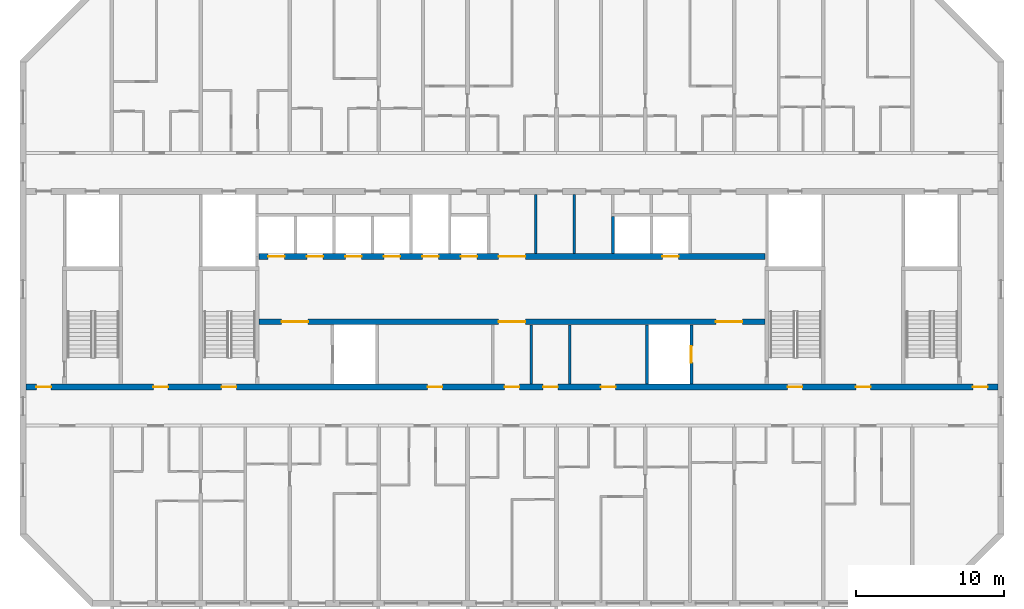
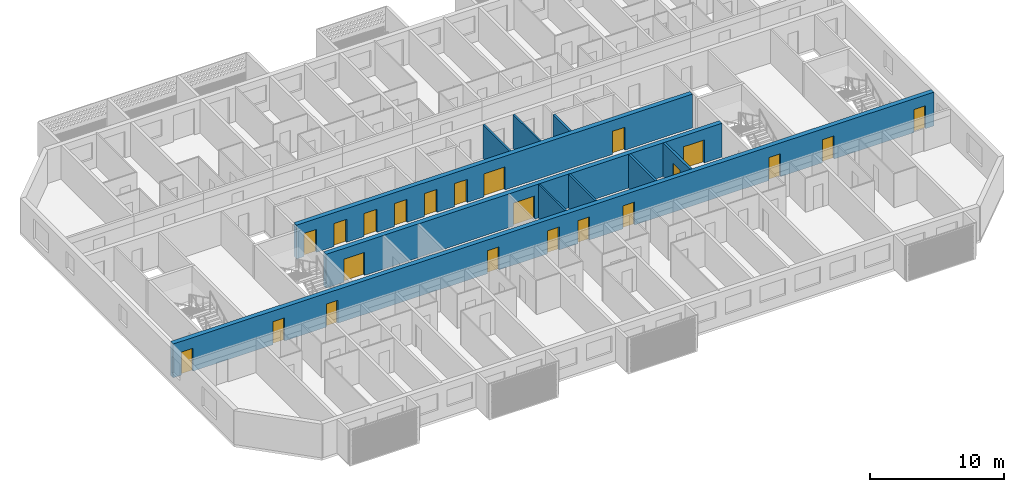
# One storey, part 6 of 27: 22 doors, 10 walls, 22 openings.
"""IFC4 building model written with IfcOpenShell, lengths in metres."""

from ifc_helpers import new_model, si_unit, direction, frame, frame_2d, origin, place, context, subcontext, project, spatial, rectangle, extrude, material, layer, layer_set, type_object, element, fill, save


model = new_model("IFC4")

# Units and contexts
model_context = context("Model", 3, precision=1e-05, world=origin(), true_north=direction((0.0, 1.0)))
body_context = subcontext(model_context, "Body", "Model", "MODEL_VIEW")
ifc_project = project(units=[si_unit("LENGTHUNIT", "METRE"), si_unit("AREAUNIT", "SQUARE_METRE"), si_unit("VOLUMEUNIT", "CUBIC_METRE"), si_unit("PLANEANGLEUNIT", "RADIAN"), si_unit("MASSUNIT", "GRAM", prefix="KILO")], contexts=[model_context])

# Site, building, storey
site_placement = place(None, origin())
site = spatial("IfcSite", under=ifc_project, at=site_placement, CompositionType="ELEMENT")
building_placement = place(site_placement, origin())
building = spatial("IfcBuilding", under=site, at=building_placement, Name="Poui Terraces", CompositionType="ELEMENT")
storey_placement = place(building_placement, frame((0.0, 0.0, 201.60009765625)))
storey = spatial("IfcBuildingStorey", under=building, at=storey_placement, Name="L56", CompositionType="ELEMENT", Elevation=201.60009765625)

# Wall, openings, doors
ifc_material_1 = material(Name="Concrete 50 MPa", Category="concrete")
ifc_layer_1 = layer(ifc_material_1, 0.39990234375)
ifc_layer_set_1 = layer_set([ifc_layer_1], Name="Concrete 50 MPa")
wall_type_1 = type_object("IfcWallType", Name="CORE WALL 400 50 MPA", PredefinedType="SOLIDWALL", material=ifc_layer_set_1)
wall_1_placement = place(storey_placement, frame((33.925048828125, 19.0, 0.0), z_axis=(0.0, 0.0, 1.0), x_axis=(1.0, 0.0, 0.0)))
wall_1 = element("IfcWall", 1, at=wall_1_placement, inside=storey, type_object=wall_type_1, Name="CORE WALL", PredefinedType="SOLIDWALL", context=body_context, shape_type="SweptSolid", body=[
    extrude(rectangle(XDim=34.14990234375, YDim=0.39990234375, at=frame_2d((17.074951171875, 0.0))), origin(), (0.0, 0.0, 1.0), 3.079833984375),
])
opening_1_placement = place(wall_1_placement, frame((16.175048828125, 0.0, 0.0)))
opening_1 = element("IfcOpeningElement", 2, at=opening_1_placement, cuts=wall_1, Name="Opening FDD60", PredefinedType="OPENING", context=body_context, shape_type="SweptSolid", body=[
    extrude(rectangle(XDim=1.800048828125, YDim=2.10009765625, at=frame_2d((0.89990234375, 1.050048828125))), frame((0.0, 0.2099609375, 0.0), z_axis=(0.0, -1.0, 0.0), x_axis=(1.0, 0.0, 0.0)), (0.0, 0.0, 1.0), 0.419921875),
])
opening_2_placement = place(wall_1_placement, frame((1.52490234375, 0.0, 0.0)))
opening_2 = element("IfcOpeningElement", 3, at=opening_2_placement, cuts=wall_1, Name="Opening FDD60", PredefinedType="OPENING", context=body_context, shape_type="SweptSolid", body=[
    extrude(rectangle(XDim=1.800048828125, YDim=2.10009765625, at=frame_2d((0.89990234375, 1.050048828125))), frame((0.0, 0.2099609375, 0.0), z_axis=(0.0, -1.0, 0.0), x_axis=(1.0, 0.0, 0.0)), (0.0, 0.0, 1.0), 0.419921875),
])
opening_3_placement = place(wall_1_placement, frame((30.824951171875, 0.0, 0.0)))
opening_3 = element("IfcOpeningElement", 4, at=opening_3_placement, cuts=wall_1, Name="Opening FDD60", PredefinedType="OPENING", context=body_context, shape_type="SweptSolid", body=[
    extrude(rectangle(XDim=1.800048828125, YDim=2.10009765625, at=frame_2d((0.89990234375, 1.050048828125))), frame((0.0, 0.2099609375, 0.0), z_axis=(0.0, -1.0, 0.0), x_axis=(1.0, 0.0, 0.0)), (0.0, 0.0, 1.0), 0.419921875),
])
ifc_material_2 = material(Name="Steel fire door", Category="steel")
door_type_1 = type_object("IfcDoorType", Name="DOUBLE LOBBY FIRE DOOR 1800 X 2100", OperationType="DOUBLE_DOOR_SINGLE_SWING", PredefinedType="DOOR", material=ifc_material_2)
door_1_placement = place(opening_1_placement, frame((1.800048828125, 0.0, 0.0), z_axis=(0.0, 0.0, 1.0), x_axis=(-1.0, 0.0, 0.0)))
door_1 = element("IfcDoor", 5, at=door_1_placement, inside=storey, type_object=door_type_1, Name="DOUBLE LOBBY FIRE DOOR 107", OperationType="DOUBLE_DOOR_SINGLE_SWING", OverallHeight=2.10009765625, OverallWidth=1.800048828125, PredefinedType="DOOR", context=body_context, shape_type="SweptSolid", body=[
    extrude(rectangle(XDim=1.800048828125, YDim=2.10009765625, at=frame_2d((0.89990234375, 1.050048828125))), frame((0.0, 0.02490234375, 0.0), z_axis=(0.0, -1.0, 0.0), x_axis=(1.0, 0.0, 0.0)), (0.0, 0.0, 1.0), 0.050048828125),
])
fill(opening_1, door_1)
door_2_placement = place(opening_2_placement, origin())
door_2 = element("IfcDoor", 6, at=door_2_placement, inside=storey, type_object=door_type_1, Name="DOUBLE LOBBY FIRE DOOR 109", OperationType="DOUBLE_DOOR_SINGLE_SWING", OverallHeight=2.10009765625, OverallWidth=1.800048828125, PredefinedType="DOOR", context=body_context, shape_type="SweptSolid", body=[
    extrude(rectangle(XDim=1.800048828125, YDim=2.10009765625, at=frame_2d((0.89990234375, 1.050048828125))), frame((0.0, 0.02490234375, 0.0), z_axis=(0.0, -1.0, 0.0), x_axis=(1.0, 0.0, 0.0)), (0.0, 0.0, 1.0), 0.050048828125),
])
fill(opening_2, door_2)
door_3_placement = place(opening_3_placement, origin())
door_3 = element("IfcDoor", 7, at=door_3_placement, inside=storey, type_object=door_type_1, Name="DOUBLE LOBBY FIRE DOOR 116", OperationType="DOUBLE_DOOR_SINGLE_SWING", OverallHeight=2.10009765625, OverallWidth=1.800048828125, PredefinedType="DOOR", context=body_context, shape_type="SweptSolid", body=[
    extrude(rectangle(XDim=1.800048828125, YDim=2.10009765625, at=frame_2d((0.89990234375, 1.050048828125))), frame((0.0, 0.02490234375, 0.0), z_axis=(0.0, -1.0, 0.0), x_axis=(1.0, 0.0, 0.0)), (0.0, 0.0, 1.0), 0.050048828125),
])
fill(opening_3, door_3)

wall_2_placement = place(storey_placement, frame((33.925048828125, 23.39990234375, 0.0), z_axis=(0.0, 0.0, 1.0), x_axis=(1.0, 0.0, 0.0)))
wall_2 = element("IfcWall", 8, at=wall_2_placement, inside=storey, type_object=wall_type_1, Name="CORE WALL", PredefinedType="SOLIDWALL", context=body_context, shape_type="SweptSolid", body=[
    extrude(rectangle(XDim=34.14990234375, YDim=0.39990234375, at=frame_2d((17.074951171875, 0.0))), origin(), (0.0, 0.0, 1.0), 3.079833984375),
])
opening_4_placement = place(wall_2_placement, frame((16.175048828125, 0.0, 0.0)))
opening_4 = element("IfcOpeningElement", 9, at=opening_4_placement, cuts=wall_2, Name="Opening FDD60", PredefinedType="OPENING", context=body_context, shape_type="SweptSolid", body=[
    extrude(rectangle(XDim=1.800048828125, YDim=2.10009765625, at=frame_2d((0.89990234375, 1.050048828125))), frame((0.0, 0.2099609375, 0.0), z_axis=(0.0, -1.0, 0.0), x_axis=(1.0, 0.0, 0.0)), (0.0, 0.0, 1.0), 0.419921875),
])
opening_5_placement = place(wall_2_placement, frame((0.625, 0.0, 0.0)))
opening_5 = element("IfcOpeningElement", 10, at=opening_5_placement, cuts=wall_2, Name="Opening LD", PredefinedType="OPENING", context=body_context, shape_type="SweptSolid", body=[
    extrude(rectangle(XDim=1.10009765625, YDim=2.10009765625, at=frame_2d((0.550048828125, 1.050048828125))), frame((0.0, 0.2099609375, 0.0), z_axis=(0.0, -1.0, 0.0), x_axis=(1.0, 0.0, 0.0)), (0.0, 0.0, 1.0), 0.419921875),
])
opening_6_placement = place(wall_2_placement, frame((3.22509765625, 0.0, 0.0)))
opening_6 = element("IfcOpeningElement", 11, at=opening_6_placement, cuts=wall_2, Name="Opening LD", PredefinedType="OPENING", context=body_context, shape_type="SweptSolid", body=[
    extrude(rectangle(XDim=1.10009765625, YDim=2.10009765625, at=frame_2d((0.550048828125, 1.050048828125))), frame((0.0, 0.2099609375, 0.0), z_axis=(0.0, -1.0, 0.0), x_axis=(1.0, 0.0, 0.0)), (0.0, 0.0, 1.0), 0.419921875),
])
opening_7_placement = place(wall_2_placement, frame((5.824951171875, 0.0, 0.0)))
opening_7 = element("IfcOpeningElement", 12, at=opening_7_placement, cuts=wall_2, Name="Opening LD", PredefinedType="OPENING", context=body_context, shape_type="SweptSolid", body=[
    extrude(rectangle(XDim=1.10009765625, YDim=2.10009765625, at=frame_2d((0.550048828125, 1.050048828125))), frame((0.0, 0.2099609375, 0.0), z_axis=(0.0, -1.0, 0.0), x_axis=(1.0, 0.0, 0.0)), (0.0, 0.0, 1.0), 0.419921875),
])
opening_8_placement = place(wall_2_placement, frame((8.425048828125, 0.0, 0.0)))
opening_8 = element("IfcOpeningElement", 13, at=opening_8_placement, cuts=wall_2, Name="Opening LD", PredefinedType="OPENING", context=body_context, shape_type="SweptSolid", body=[
    extrude(rectangle(XDim=1.10009765625, YDim=2.10009765625, at=frame_2d((0.550048828125, 1.050048828125))), frame((0.0, 0.2099609375, 0.0), z_axis=(0.0, -1.0, 0.0), x_axis=(1.0, 0.0, 0.0)), (0.0, 0.0, 1.0), 0.419921875),
])
opening_9_placement = place(wall_2_placement, frame((11.02490234375, 0.0, 0.0)))
opening_9 = element("IfcOpeningElement", 14, at=opening_9_placement, cuts=wall_2, Name="Opening LD", PredefinedType="OPENING", context=body_context, shape_type="SweptSolid", body=[
    extrude(rectangle(XDim=1.10009765625, YDim=2.10009765625, at=frame_2d((0.550048828125, 1.050048828125))), frame((0.0, 0.2099609375, 0.0), z_axis=(0.0, -1.0, 0.0), x_axis=(1.0, 0.0, 0.0)), (0.0, 0.0, 1.0), 0.419921875),
])
opening_10_placement = place(wall_2_placement, frame((13.625, 0.0, 0.0)))
opening_10 = element("IfcOpeningElement", 15, at=opening_10_placement, cuts=wall_2, Name="Opening LD", PredefinedType="OPENING", context=body_context, shape_type="SweptSolid", body=[
    extrude(rectangle(XDim=1.10009765625, YDim=2.10009765625, at=frame_2d((0.550048828125, 1.050048828125))), frame((0.0, 0.2099609375, 0.0), z_axis=(0.0, -1.0, 0.0), x_axis=(1.0, 0.0, 0.0)), (0.0, 0.0, 1.0), 0.419921875),
])
opening_11_placement = place(wall_2_placement, frame((27.22509765625, 0.0, 0.0)))
opening_11 = element("IfcOpeningElement", 16, at=opening_11_placement, cuts=wall_2, Name="Opening LD", PredefinedType="OPENING", context=body_context, shape_type="SweptSolid", body=[
    extrude(rectangle(XDim=1.10009765625, YDim=2.10009765625, at=frame_2d((0.550048828125, 1.050048828125))), frame((0.0, 0.2099609375, 0.0), z_axis=(0.0, -1.0, 0.0), x_axis=(1.0, 0.0, 0.0)), (0.0, 0.0, 1.0), 0.419921875),
])
door_4_placement = place(opening_4_placement, origin())
door_4 = element("IfcDoor", 17, at=door_4_placement, inside=storey, type_object=door_type_1, Name="DOUBLE LOBBY FIRE DOOR 106", OperationType="DOUBLE_DOOR_SINGLE_SWING", OverallHeight=2.10009765625, OverallWidth=1.800048828125, PredefinedType="DOOR", context=body_context, shape_type="SweptSolid", body=[
    extrude(rectangle(XDim=1.800048828125, YDim=2.10009765625, at=frame_2d((0.89990234375, 1.050048828125))), frame((0.0, 0.02490234375, 0.0), z_axis=(0.0, -1.0, 0.0), x_axis=(1.0, 0.0, 0.0)), (0.0, 0.0, 1.0), 0.050048828125),
])
fill(opening_4, door_4)
ifc_material_3 = material(Name="Stainless steel sliding door", Category="steel")
door_type_2 = type_object("IfcDoorType", Name="LIFT LANDING DOOR 1100 X 2100", OperationType="DOUBLE_DOOR_SLIDING", PredefinedType="DOOR", material=ifc_material_3)
door_5_placement = place(opening_5_placement, origin())
door_5 = element("IfcDoor", 18, at=door_5_placement, inside=storey, type_object=door_type_2, Name="LANDING DOOR", OperationType="DOUBLE_DOOR_SLIDING", OverallHeight=2.10009765625, OverallWidth=1.10009765625, PredefinedType="DOOR", context=body_context, shape_type="SweptSolid", body=[
    extrude(rectangle(XDim=1.10009765625, YDim=2.10009765625, at=frame_2d((0.550048828125, 1.050048828125))), frame((0.0, 0.02490234375, 0.0), z_axis=(0.0, -1.0, 0.0), x_axis=(1.0, 0.0, 0.0)), (0.0, 0.0, 1.0), 0.050048828125),
])
fill(opening_5, door_5)
door_6_placement = place(opening_6_placement, origin())
door_6 = element("IfcDoor", 19, at=door_6_placement, inside=storey, type_object=door_type_2, Name="LANDING DOOR", OperationType="DOUBLE_DOOR_SLIDING", OverallHeight=2.10009765625, OverallWidth=1.10009765625, PredefinedType="DOOR", context=body_context, shape_type="SweptSolid", body=[
    extrude(rectangle(XDim=1.10009765625, YDim=2.10009765625, at=frame_2d((0.550048828125, 1.050048828125))), frame((0.0, 0.02490234375, 0.0), z_axis=(0.0, -1.0, 0.0), x_axis=(1.0, 0.0, 0.0)), (0.0, 0.0, 1.0), 0.050048828125),
])
fill(opening_6, door_6)
door_7_placement = place(opening_7_placement, origin())
door_7 = element("IfcDoor", 20, at=door_7_placement, inside=storey, type_object=door_type_2, Name="LANDING DOOR", OperationType="DOUBLE_DOOR_SLIDING", OverallHeight=2.10009765625, OverallWidth=1.10009765625, PredefinedType="DOOR", context=body_context, shape_type="SweptSolid", body=[
    extrude(rectangle(XDim=1.10009765625, YDim=2.10009765625, at=frame_2d((0.550048828125, 1.050048828125))), frame((0.0, 0.02490234375, 0.0), z_axis=(0.0, -1.0, 0.0), x_axis=(1.0, 0.0, 0.0)), (0.0, 0.0, 1.0), 0.050048828125),
])
fill(opening_7, door_7)
door_8_placement = place(opening_8_placement, origin())
door_8 = element("IfcDoor", 21, at=door_8_placement, inside=storey, type_object=door_type_2, Name="LANDING DOOR", OperationType="DOUBLE_DOOR_SLIDING", OverallHeight=2.10009765625, OverallWidth=1.10009765625, PredefinedType="DOOR", context=body_context, shape_type="SweptSolid", body=[
    extrude(rectangle(XDim=1.10009765625, YDim=2.10009765625, at=frame_2d((0.550048828125, 1.050048828125))), frame((0.0, 0.02490234375, 0.0), z_axis=(0.0, -1.0, 0.0), x_axis=(1.0, 0.0, 0.0)), (0.0, 0.0, 1.0), 0.050048828125),
])
fill(opening_8, door_8)
door_9_placement = place(opening_9_placement, origin())
door_9 = element("IfcDoor", 22, at=door_9_placement, inside=storey, type_object=door_type_2, Name="LANDING DOOR", OperationType="DOUBLE_DOOR_SLIDING", OverallHeight=2.10009765625, OverallWidth=1.10009765625, PredefinedType="DOOR", context=body_context, shape_type="SweptSolid", body=[
    extrude(rectangle(XDim=1.10009765625, YDim=2.10009765625, at=frame_2d((0.550048828125, 1.050048828125))), frame((0.0, 0.02490234375, 0.0), z_axis=(0.0, -1.0, 0.0), x_axis=(1.0, 0.0, 0.0)), (0.0, 0.0, 1.0), 0.050048828125),
])
fill(opening_9, door_9)
door_10_placement = place(opening_10_placement, origin())
door_10 = element("IfcDoor", 23, at=door_10_placement, inside=storey, type_object=door_type_2, Name="LANDING DOOR", OperationType="DOUBLE_DOOR_SLIDING", OverallHeight=2.10009765625, OverallWidth=1.10009765625, PredefinedType="DOOR", context=body_context, shape_type="SweptSolid", body=[
    extrude(rectangle(XDim=1.10009765625, YDim=2.10009765625, at=frame_2d((0.550048828125, 1.050048828125))), frame((0.0, 0.02490234375, 0.0), z_axis=(0.0, -1.0, 0.0), x_axis=(1.0, 0.0, 0.0)), (0.0, 0.0, 1.0), 0.050048828125),
])
fill(opening_10, door_10)
door_11_placement = place(opening_11_placement, origin())
door_11 = element("IfcDoor", 24, at=door_11_placement, inside=storey, type_object=door_type_2, Name="LANDING DOOR", OperationType="DOUBLE_DOOR_SLIDING", OverallHeight=2.10009765625, OverallWidth=1.10009765625, PredefinedType="DOOR", context=body_context, shape_type="SweptSolid", body=[
    extrude(rectangle(XDim=1.10009765625, YDim=2.10009765625, at=frame_2d((0.550048828125, 1.050048828125))), frame((0.0, 0.02490234375, 0.0), z_axis=(0.0, -1.0, 0.0), x_axis=(1.0, 0.0, 0.0)), (0.0, 0.0, 1.0), 0.050048828125),
])
fill(opening_11, door_11)

# Walls
ifc_material_4 = material(Name="Fire-rated plasterboard wall")
ifc_layer_2 = layer(ifc_material_4, 0.14990234375)
ifc_layer_set_2 = layer_set([ifc_layer_2], Name="Fire-rated plasterboard wall")
wall_type_2 = type_object("IfcWallType", Name="CORRIDOR WALL 150", PredefinedType="PARTITIONING", material=ifc_layer_set_2)
for number, where, z_axis, x_axis, name in (
    (25, (52.300048828125, 14.81005859375, 0.0), (0.0, 0.0, 1.0), (0.0, 1.0, 0.0), "CORRIDOR WALL 150"),
    (26, (52.60009765625, 23.610107421875, 0.0), (0.0, 0.0, 1.0), (0.0, 1.0, 0.0), "CORRIDOR WALL 150"),
):
    element("IfcWall", number, at=place(storey_placement, frame(where, z_axis=z_axis, x_axis=x_axis)), inside=storey, type_object=wall_type_2, Name=name, PredefinedType="PARTITIONING", context=body_context, shape_type="SweptSolid", body=[
        extrude(rectangle(XDim=3.97998046875, YDim=0.14990234375, at=frame_2d((1.989990234375, 0.0))), origin(), (0.0, 0.0, 1.0), 3.079833984375),
    ])
ifc_material_5 = material(Name="Plasterboard partition")
ifc_layer_3 = layer(ifc_material_5, 0.14990234375)
ifc_layer_set_3 = layer_set([ifc_layer_3], Name="Plasterboard partition")
wall_type_3 = type_object("IfcWallType", Name="PARTITION WALL 150", PredefinedType="PARTITIONING", material=ifc_layer_set_3)
for number, where, z_axis, x_axis, name in (
    (27, (54.89990234375, 14.81005859375, 0.0), (0.0, 0.0, 1.0), (0.0, 1.0, 0.0), "PARTITION WALL 150"),
    (28, (55.199951171875, 23.610107421875, 0.0), (0.0, 0.0, 1.0), (0.0, 1.0, 0.0), "PARTITION WALL 150"),
):
    element("IfcWall", number, at=place(storey_placement, frame(where, z_axis=z_axis, x_axis=x_axis)), inside=storey, type_object=wall_type_3, Name=name, PredefinedType="PARTITIONING", context=body_context, shape_type="SweptSolid", body=[
        extrude(rectangle(XDim=3.97998046875, YDim=0.14990234375, at=frame_2d((1.989990234375, 0.0))), origin(), (0.0, 0.0, 1.0), 3.079833984375),
    ])
ifc_material_6 = material(Name="Fire-rated masonry shaft wall", Category="masonry")
ifc_layer_4 = layer(ifc_material_6, 0.199951171875)
ifc_layer_set_4 = layer_set([ifc_layer_4], Name="Fire-rated masonry shaft wall")
wall_type_4 = type_object("IfcWallType", Name="SHAFT WALL 200", PredefinedType="PARTITIONING", material=ifc_layer_set_4)
wall_3_placement = place(storey_placement, frame((57.800048828125, 23.610107421875, 0.0), z_axis=(0.0, 0.0, 1.0), x_axis=(0.0, 1.0, 0.0)))
element("IfcWall", 29, at=wall_3_placement, inside=storey, type_object=wall_type_4, Name="SHAFT WALL 200", PredefinedType="PARTITIONING", context=body_context, shape_type="SweptSolid", body=[
    extrude(rectangle(XDim=2.489990234375, YDim=0.199951171875, at=frame_2d((1.2451171875, 0.0))), origin(), (0.0, 0.0, 1.0), 3.079833984375),
])
wall_4_placement = place(storey_placement, frame((60.10009765625, 14.81005859375, 0.0), z_axis=(0.0, 0.0, 1.0), x_axis=(0.0, 1.0, 0.0)))
element("IfcWall", 30, at=wall_4_placement, inside=storey, type_object=wall_type_4, Name="SHAFT WALL 200", PredefinedType="PARTITIONING", context=body_context, shape_type="SweptSolid", body=[
    extrude(rectangle(XDim=3.97998046875, YDim=0.199951171875, at=frame_2d((1.989990234375, 0.0))), origin(), (0.0, 0.0, 1.0), 3.079833984375),
])

# Wall, opening, door
wall_5_placement = place(storey_placement, frame((63.10009765625, 14.81005859375, 0.0), z_axis=(0.0, 0.0, 1.0), x_axis=(0.0, 1.0, 0.0)))
wall_5 = element("IfcWall", 31, at=wall_5_placement, inside=storey, type_object=wall_type_4, Name="SHAFT WALL 200", PredefinedType="PARTITIONING", context=body_context, shape_type="SweptSolid", body=[
    extrude(rectangle(XDim=3.97998046875, YDim=0.199951171875, at=frame_2d((1.989990234375, 0.0))), origin(), (0.0, 0.0, 1.0), 3.079833984375),
])
opening_12_placement = place(wall_5_placement, frame((1.43994140625, 0.0, 0.0)))
opening_12 = element("IfcOpeningElement", 32, at=opening_12_placement, cuts=wall_5, Name="Opening LD", PredefinedType="OPENING", context=body_context, shape_type="SweptSolid", body=[
    extrude(rectangle(XDim=1.10009765625, YDim=2.10009765625, at=frame_2d((0.550048828125, 1.050048828125))), frame((0.0, 0.10986328125, 0.0), z_axis=(0.0, -1.0, 0.0), x_axis=(1.0, 0.0, 0.0)), (0.0, 0.0, 1.0), 0.219970703125),
])
door_12_placement = place(opening_12_placement, origin())
door_12 = element("IfcDoor", 33, at=door_12_placement, inside=storey, type_object=door_type_2, Name="LANDING DOOR", OperationType="DOUBLE_DOOR_SLIDING", OverallHeight=2.10009765625, OverallWidth=1.10009765625, PredefinedType="DOOR", context=body_context, shape_type="SweptSolid", body=[
    extrude(rectangle(XDim=1.10009765625, YDim=2.10009765625, at=frame_2d((0.550048828125, 1.050048828125))), frame((0.0, 0.02490234375, 0.0), z_axis=(0.0, -1.0, 0.0), x_axis=(1.0, 0.0, 0.0)), (0.0, 0.0, 1.0), 0.050048828125),
])
fill(opening_12, door_12)

# Wall, openings, doors
ifc_layer_5 = layer(ifc_material_1, 0.39990234375)
ifc_layer_set_5 = layer_set([ifc_layer_5], Name="Concrete 50 MPa")
wall_type_5 = type_object("IfcWallType", Name="SPINE WALL 400 50 MPA", PredefinedType="SOLIDWALL", material=ifc_layer_set_5)
wall_6_placement = place(storey_placement, frame((18.199951171875, 14.60009765625, 0.0), z_axis=(0.0, 0.0, 1.0), x_axis=(1.0, 0.0, 0.0)))
wall_6 = element("IfcWall", 34, at=wall_6_placement, inside=storey, type_object=wall_type_5, Name="SPINE WALL", PredefinedType="SOLIDWALL", context=body_context, shape_type="SweptSolid", body=[
    extrude(rectangle(XDim=65.60009765625, YDim=0.39990234375, at=frame_2d((32.800048828125, 0.0))), origin(), (0.0, 0.0, 1.0), 3.079833984375),
])
opening_13_placement = place(wall_6_placement, frame((0.699951171875, 0.0, 0.0)))
opening_13 = element("IfcOpeningElement", 35, at=opening_13_placement, cuts=wall_6, Name="Opening FDL", PredefinedType="OPENING", context=body_context, shape_type="SweptSolid", body=[
    extrude(rectangle(XDim=1.0, YDim=2.10009765625, at=frame_2d((0.5, 1.050048828125))), frame((0.0, 0.2099609375, 0.0), z_axis=(0.0, -1.0, 0.0), x_axis=(1.0, 0.0, 0.0)), (0.0, 0.0, 1.0), 0.419921875),
])
opening_14_placement = place(wall_6_placement, frame((8.60009765625, 0.0, 0.0)))
opening_14 = element("IfcOpeningElement", 36, at=opening_14_placement, cuts=wall_6, Name="Opening D100", PredefinedType="OPENING", context=body_context, shape_type="SweptSolid", body=[
    extrude(rectangle(XDim=1.0, YDim=2.10009765625, at=frame_2d((0.5, 1.050048828125))), frame((0.0, 0.2099609375, 0.0), z_axis=(0.0, -1.0, 0.0), x_axis=(1.0, 0.0, 0.0)), (0.0, 0.0, 1.0), 0.419921875),
])
opening_15_placement = place(wall_6_placement, frame((13.199951171875, 0.0, 0.0)))
opening_15 = element("IfcOpeningElement", 37, at=opening_15_placement, cuts=wall_6, Name="Opening FD60S", PredefinedType="OPENING", context=body_context, shape_type="SweptSolid", body=[
    extrude(rectangle(XDim=1.0, YDim=2.10009765625, at=frame_2d((0.5, 1.050048828125))), frame((0.0, 0.2099609375, 0.0), z_axis=(0.0, -1.0, 0.0), x_axis=(1.0, 0.0, 0.0)), (0.0, 0.0, 1.0), 0.419921875),
])
opening_16_placement = place(wall_6_placement, frame((27.10009765625, 0.0, 0.0)))
opening_16 = element("IfcOpeningElement", 38, at=opening_16_placement, cuts=wall_6, Name="Opening FD60", PredefinedType="OPENING", context=body_context, shape_type="SweptSolid", body=[
    extrude(rectangle(XDim=1.0, YDim=2.10009765625, at=frame_2d((0.5, 1.050048828125))), frame((0.0, 0.2099609375, 0.0), z_axis=(0.0, -1.0, 0.0), x_axis=(1.0, 0.0, 0.0)), (0.0, 0.0, 1.0), 0.419921875),
])
opening_17_placement = place(wall_6_placement, frame((32.300048828125, 0.0, 0.0)))
opening_17 = element("IfcOpeningElement", 39, at=opening_17_placement, cuts=wall_6, Name="Opening FDL", PredefinedType="OPENING", context=body_context, shape_type="SweptSolid", body=[
    extrude(rectangle(XDim=1.0, YDim=2.10009765625, at=frame_2d((0.5, 1.050048828125))), frame((0.0, 0.2099609375, 0.0), z_axis=(0.0, -1.0, 0.0), x_axis=(1.0, 0.0, 0.0)), (0.0, 0.0, 1.0), 0.419921875),
])
opening_18_placement = place(wall_6_placement, frame((34.89990234375, 0.0, 0.0)))
opening_18 = element("IfcOpeningElement", 40, at=opening_18_placement, cuts=wall_6, Name="Opening FD60", PredefinedType="OPENING", context=body_context, shape_type="SweptSolid", body=[
    extrude(rectangle(XDim=1.0, YDim=2.10009765625, at=frame_2d((0.5, 1.050048828125))), frame((0.0, 0.2099609375, 0.0), z_axis=(0.0, -1.0, 0.0), x_axis=(1.0, 0.0, 0.0)), (0.0, 0.0, 1.0), 0.419921875),
])
opening_19_placement = place(wall_6_placement, frame((38.800048828125, 0.0, 0.0)))
opening_19 = element("IfcOpeningElement", 41, at=opening_19_placement, cuts=wall_6, Name="Opening FD60", PredefinedType="OPENING", context=body_context, shape_type="SweptSolid", body=[
    extrude(rectangle(XDim=1.0, YDim=2.10009765625, at=frame_2d((0.5, 1.050048828125))), frame((0.0, 0.2099609375, 0.0), z_axis=(0.0, -1.0, 0.0), x_axis=(1.0, 0.0, 0.0)), (0.0, 0.0, 1.0), 0.419921875),
])
opening_20_placement = place(wall_6_placement, frame((51.39990234375, 0.0, 0.0)))
opening_20 = element("IfcOpeningElement", 42, at=opening_20_placement, cuts=wall_6, Name="Opening FD60S", PredefinedType="OPENING", context=body_context, shape_type="SweptSolid", body=[
    extrude(rectangle(XDim=1.0, YDim=2.10009765625, at=frame_2d((0.5, 1.050048828125))), frame((0.0, 0.2099609375, 0.0), z_axis=(0.0, -1.0, 0.0), x_axis=(1.0, 0.0, 0.0)), (0.0, 0.0, 1.0), 0.419921875),
])
opening_21_placement = place(wall_6_placement, frame((56.0, 0.0, 0.0)))
opening_21 = element("IfcOpeningElement", 43, at=opening_21_placement, cuts=wall_6, Name="Opening D100", PredefinedType="OPENING", context=body_context, shape_type="SweptSolid", body=[
    extrude(rectangle(XDim=1.0, YDim=2.10009765625, at=frame_2d((0.5, 1.050048828125))), frame((0.0, 0.2099609375, 0.0), z_axis=(0.0, -1.0, 0.0), x_axis=(1.0, 0.0, 0.0)), (0.0, 0.0, 1.0), 0.419921875),
])
opening_22_placement = place(wall_6_placement, frame((63.89990234375, 0.0, 0.0)))
opening_22 = element("IfcOpeningElement", 44, at=opening_22_placement, cuts=wall_6, Name="Opening FDL", PredefinedType="OPENING", context=body_context, shape_type="SweptSolid", body=[
    extrude(rectangle(XDim=1.0, YDim=2.10009765625, at=frame_2d((0.5, 1.050048828125))), frame((0.0, 0.2099609375, 0.0), z_axis=(0.0, -1.0, 0.0), x_axis=(1.0, 0.0, 0.0)), (0.0, 0.0, 1.0), 0.419921875),
])
ifc_material_7 = material(Name="Solid core timber door", Category="wood")
door_type_3 = type_object("IfcDoorType", Name="ACCESSIBLE INTERNAL DOOR 1000 X 2100", OperationType="NOTDEFINED", PredefinedType="DOOR", material=ifc_material_7)
door_13_placement = place(opening_14_placement, frame((1.0, 0.0, 0.0), z_axis=(0.0, 0.0, 1.0), x_axis=(-1.0, 0.0, 0.0)))
door_13 = element("IfcDoor", 45, at=door_13_placement, inside=storey, type_object=door_type_3, Name="ACCESSIBLE INTERNAL DOOR 017", OperationType="SINGLE_SWING_RIGHT", OverallHeight=2.10009765625, OverallWidth=1.0, PredefinedType="DOOR", context=body_context, shape_type="SweptSolid", body=[
    extrude(rectangle(XDim=1.0, YDim=2.10009765625, at=frame_2d((0.5, 1.050048828125))), frame((0.0, 0.02490234375, 0.0), z_axis=(0.0, -1.0, 0.0), x_axis=(1.0, 0.0, 0.0)), (0.0, 0.0, 1.0), 0.050048828125),
])
fill(opening_14, door_13)
door_14_placement = place(opening_21_placement, frame((1.0, 0.0, 0.0), z_axis=(0.0, 0.0, 1.0), x_axis=(-1.0, 0.0, 0.0)))
door_14 = element("IfcDoor", 46, at=door_14_placement, inside=storey, type_object=door_type_3, Name="ACCESSIBLE INTERNAL DOOR 024", OperationType="SINGLE_SWING_LEFT", OverallHeight=2.10009765625, OverallWidth=1.0, PredefinedType="DOOR", context=body_context, shape_type="SweptSolid", body=[
    extrude(rectangle(XDim=1.0, YDim=2.10009765625, at=frame_2d((0.5, 1.050048828125))), frame((0.0, 0.02490234375, 0.0), z_axis=(0.0, -1.0, 0.0), x_axis=(1.0, 0.0, 0.0)), (0.0, 0.0, 1.0), 0.050048828125),
])
fill(opening_21, door_14)
door_type_4 = type_object("IfcDoorType", Name="LOBBY FIRE DOOR 1000 X 2100", OperationType="NOTDEFINED", PredefinedType="DOOR", material=ifc_material_2)
door_15_placement = place(opening_13_placement, frame((1.0, 0.0, 0.0), z_axis=(0.0, 0.0, 1.0), x_axis=(-1.0, 0.0, 0.0)))
door_15 = element("IfcDoor", 47, at=door_15_placement, inside=storey, type_object=door_type_4, Name="LOBBY FIRE DOOR 016", OperationType="SINGLE_SWING_RIGHT", OverallHeight=2.10009765625, OverallWidth=1.0, PredefinedType="DOOR", context=body_context, shape_type="SweptSolid", body=[
    extrude(rectangle(XDim=1.0, YDim=2.10009765625, at=frame_2d((0.5, 1.050048828125))), frame((0.0, 0.02490234375, 0.0), z_axis=(0.0, -1.0, 0.0), x_axis=(1.0, 0.0, 0.0)), (0.0, 0.0, 1.0), 0.050048828125),
])
fill(opening_13, door_15)
door_16_placement = place(opening_17_placement, frame((1.0, 0.0, 0.0), z_axis=(0.0, 0.0, 1.0), x_axis=(-1.0, 0.0, 0.0)))
door_16 = element("IfcDoor", 48, at=door_16_placement, inside=storey, type_object=door_type_4, Name="LOBBY FIRE DOOR 020", OperationType="SINGLE_SWING_LEFT", OverallHeight=2.10009765625, OverallWidth=1.0, PredefinedType="DOOR", context=body_context, shape_type="SweptSolid", body=[
    extrude(rectangle(XDim=1.0, YDim=2.10009765625, at=frame_2d((0.5, 1.050048828125))), frame((0.0, 0.02490234375, 0.0), z_axis=(0.0, -1.0, 0.0), x_axis=(1.0, 0.0, 0.0)), (0.0, 0.0, 1.0), 0.050048828125),
])
fill(opening_17, door_16)
door_17_placement = place(opening_22_placement, frame((1.0, 0.0, 0.0), z_axis=(0.0, 0.0, 1.0), x_axis=(-1.0, 0.0, 0.0)))
door_17 = element("IfcDoor", 49, at=door_17_placement, inside=storey, type_object=door_type_4, Name="LOBBY FIRE DOOR 025", OperationType="SINGLE_SWING_LEFT", OverallHeight=2.10009765625, OverallWidth=1.0, PredefinedType="DOOR", context=body_context, shape_type="SweptSolid", body=[
    extrude(rectangle(XDim=1.0, YDim=2.10009765625, at=frame_2d((0.5, 1.050048828125))), frame((0.0, 0.02490234375, 0.0), z_axis=(0.0, -1.0, 0.0), x_axis=(1.0, 0.0, 0.0)), (0.0, 0.0, 1.0), 0.050048828125),
])
fill(opening_22, door_17)
door_type_5 = type_object("IfcDoorType", Name="SERVICE ROOM FIRE DOOR 1000 X 2100", OperationType="NOTDEFINED", PredefinedType="DOOR", material=ifc_material_2)
door_18_placement = place(opening_16_placement, frame((1.0, 0.0, 0.0), z_axis=(0.0, 0.0, 1.0), x_axis=(-1.0, 0.0, 0.0)))
door_18 = element("IfcDoor", 50, at=door_18_placement, inside=storey, type_object=door_type_5, Name="SERVICE ROOM FIRE DOOR 019", OperationType="SINGLE_SWING_LEFT", OverallHeight=2.10009765625, OverallWidth=1.0, PredefinedType="DOOR", context=body_context, shape_type="SweptSolid", body=[
    extrude(rectangle(XDim=1.0, YDim=2.10009765625, at=frame_2d((0.5, 1.050048828125))), frame((0.0, 0.02490234375, 0.0), z_axis=(0.0, -1.0, 0.0), x_axis=(1.0, 0.0, 0.0)), (0.0, 0.0, 1.0), 0.050048828125),
])
fill(opening_16, door_18)
door_19_placement = place(opening_18_placement, frame((1.0, 0.0, 0.0), z_axis=(0.0, 0.0, 1.0), x_axis=(-1.0, 0.0, 0.0)))
door_19 = element("IfcDoor", 51, at=door_19_placement, inside=storey, type_object=door_type_5, Name="SERVICE ROOM FIRE DOOR 021", OperationType="SINGLE_SWING_RIGHT", OverallHeight=2.10009765625, OverallWidth=1.0, PredefinedType="DOOR", context=body_context, shape_type="SweptSolid", body=[
    extrude(rectangle(XDim=1.0, YDim=2.10009765625, at=frame_2d((0.5, 1.050048828125))), frame((0.0, 0.02490234375, 0.0), z_axis=(0.0, -1.0, 0.0), x_axis=(1.0, 0.0, 0.0)), (0.0, 0.0, 1.0), 0.050048828125),
])
fill(opening_18, door_19)
door_20_placement = place(opening_19_placement, frame((1.0, 0.0, 0.0), z_axis=(0.0, 0.0, 1.0), x_axis=(-1.0, 0.0, 0.0)))
door_20 = element("IfcDoor", 52, at=door_20_placement, inside=storey, type_object=door_type_5, Name="SERVICE ROOM FIRE DOOR 022", OperationType="SINGLE_SWING_LEFT", OverallHeight=2.10009765625, OverallWidth=1.0, PredefinedType="DOOR", context=body_context, shape_type="SweptSolid", body=[
    extrude(rectangle(XDim=1.0, YDim=2.10009765625, at=frame_2d((0.5, 1.050048828125))), frame((0.0, 0.02490234375, 0.0), z_axis=(0.0, -1.0, 0.0), x_axis=(1.0, 0.0, 0.0)), (0.0, 0.0, 1.0), 0.050048828125),
])
fill(opening_19, door_20)
door_type_6 = type_object("IfcDoorType", Name="STAIR DOOR 1000 X 2100", OperationType="NOTDEFINED", PredefinedType="DOOR", material=ifc_material_2)
door_21_placement = place(opening_15_placement, origin())
door_21 = element("IfcDoor", 53, at=door_21_placement, inside=storey, type_object=door_type_6, Name="STAIR DOOR 018", OperationType="SINGLE_SWING_RIGHT", OverallHeight=2.10009765625, OverallWidth=1.0, PredefinedType="DOOR", context=body_context, shape_type="SweptSolid", body=[
    extrude(rectangle(XDim=1.0, YDim=2.10009765625, at=frame_2d((0.5, 1.050048828125))), frame((0.0, 0.02490234375, 0.0), z_axis=(0.0, -1.0, 0.0), x_axis=(1.0, 0.0, 0.0)), (0.0, 0.0, 1.0), 0.050048828125),
])
fill(opening_15, door_21)
door_22_placement = place(opening_20_placement, origin())
door_22 = element("IfcDoor", 54, at=door_22_placement, inside=storey, type_object=door_type_6, Name="STAIR DOOR 023", OperationType="SINGLE_SWING_RIGHT", OverallHeight=2.10009765625, OverallWidth=1.0, PredefinedType="DOOR", context=body_context, shape_type="SweptSolid", body=[
    extrude(rectangle(XDim=1.0, YDim=2.10009765625, at=frame_2d((0.5, 1.050048828125))), frame((0.0, 0.02490234375, 0.0), z_axis=(0.0, -1.0, 0.0), x_axis=(1.0, 0.0, 0.0)), (0.0, 0.0, 1.0), 0.050048828125),
])
fill(opening_20, door_22)

save(model, "model.ifc")
